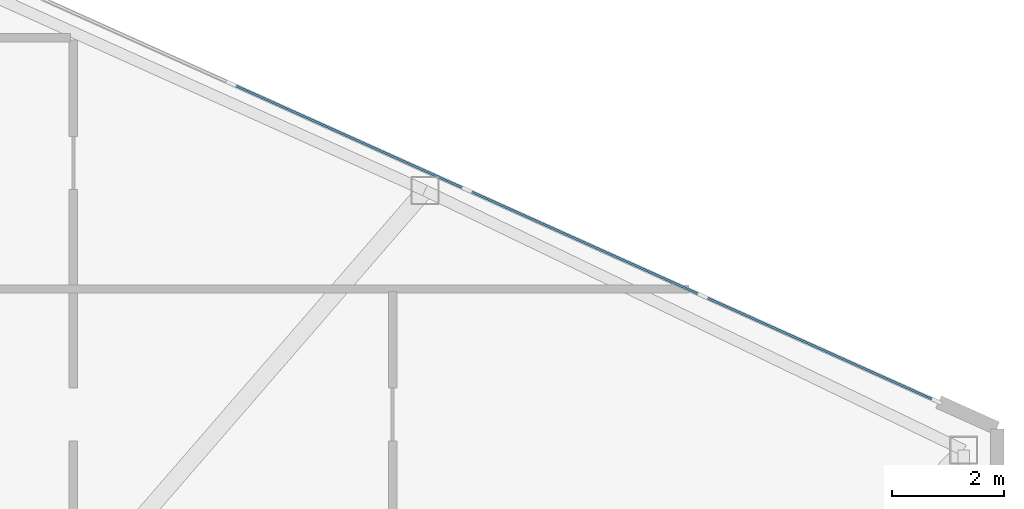
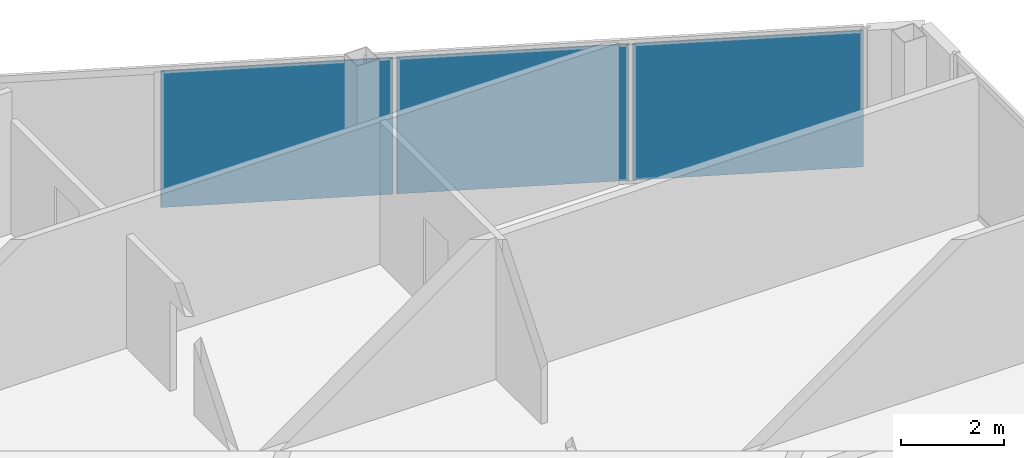
# One storey, part 18 of 27: 3 plates, 1 element without a shape of its own.
"""IFC4 building model written with IfcOpenShell, lengths in metres."""

from ifc_helpers import new_model, si_unit, direction, frame, origin, origin_2d, place, context, subcontext, project, spatial, rectangle, extrude, source, transform, mapped, material, layer, layer_set, type_object, type_shapes, element, aggregate, save


model = new_model("IFC4")

# Units and contexts
model_context = context("Model", 3, precision=1e-05, world=origin(), true_north=direction((0.0, 1.0)))
body_context = subcontext(model_context, "Body", "Model", "MODEL_VIEW")
ifc_project = project(units=[si_unit("LENGTHUNIT", "METRE"), si_unit("AREAUNIT", "SQUARE_METRE"), si_unit("VOLUMEUNIT", "CUBIC_METRE"), si_unit("PLANEANGLEUNIT", "RADIAN"), si_unit("MASSUNIT", "GRAM", prefix="KILO")], contexts=[model_context])

# Site, building, storey
site_placement = place(None, origin())
site = spatial("IfcSite", under=ifc_project, at=site_placement, CompositionType="ELEMENT")
building_placement = place(site_placement, origin())
building = spatial("IfcBuilding", under=site, at=building_placement, Name="Seokmaru Belvedere", CompositionType="ELEMENT")
storey_placement = place(building_placement, frame((0.0, 0.0, 76.5)))
storey = spatial("IfcBuildingStorey", under=building, at=storey_placement, Name="L20", CompositionType="ELEMENT", Elevation=76.5)

# Curtain wall, plates
ifc_material = material(Name="Bronze Triple Insulating Glass", Category="glass")
ifc_layer_1 = layer(ifc_material, 0.195068359375)
ifc_layer_set_1 = layer_set([ifc_layer_1], Name="Bronze Triple Insulating Glass")
curtain_wall_type = type_object("IfcCurtainWallType", Name="Lower-Mid Tapered Curtain Wall System CW-3", PredefinedType="NOTDEFINED", material=ifc_layer_set_1)
curtain_wall_placement = place(storey_placement, origin())
curtain_wall = element("IfcCurtainWall", 1, at=curtain_wall_placement, inside=storey, type_object=curtain_wall_type, Name="L20 Curtain Wall EF3", PredefinedType="NOTDEFINED")
ifc_layer_2 = layer(ifc_material, 0.035888671875)
ifc_layer_set_2 = layer_set([ifc_layer_2], Name="Bronze Triple Insulating Glass")
plate_type = type_object("IfcPlateType", Name="Bronze Triple Vision Glazing Panel 36", PredefinedType="CURTAIN_PANEL", material=ifc_layer_set_2)
shared_shape_1 = source(origin(), body_context, "Body", "SweptSolid", [
    extrude(rectangle(XDim=4.51318359375, YDim=0.035888671875, at=origin_2d()), origin(), (0.0, 0.0, 1.0), 3.239990234375),
])
plate_1_placement = place(storey_placement, frame((67.82958984375, 8.926513671875, 0.06982421875), z_axis=(0.0, 0.0, 1.0), x_axis=(-0.91192111353, 0.41036554765, 0.0)))
plate_1 = element("IfcPlate", 2, at=plate_1_placement, type_object=plate_type, Name="CW:L20:EF3 Glazing Panel 1-1", PredefinedType="CURTAIN_PANEL", context=body_context, shape_type="MappedRepresentation", body=[
    mapped(shared_shape_1, transform((0.0, 0.0, 0.0), scale=1.0)),
])
shared_shape_2 = source(origin(), body_context, "Body", "SweptSolid", [
    extrude(rectangle(XDim=4.548095703125, YDim=0.035888671875, at=origin_2d()), origin(), (0.0, 0.0, 1.0), 3.239990234375),
])
type_shapes(plate_type, [shared_shape_1, shared_shape_2])
plate_2_placement = place(storey_placement, frame((63.63427734375, 10.814697265625, 0.06982421875), z_axis=(0.0, 0.0, 1.0), x_axis=(-0.91192111353, 0.41036554765, 0.0)))
plate_2 = element("IfcPlate", 3, at=plate_2_placement, type_object=plate_type, Name="CW:L20:EF3 Glazing Panel 2-1", PredefinedType="CURTAIN_PANEL", context=body_context, shape_type="MappedRepresentation", body=[
    mapped(shared_shape_2, transform((0.0, 0.0, 0.0), scale=1.0)),
])
plate_3_placement = place(storey_placement, frame((59.4228515625, 12.709716796875, 0.06982421875), z_axis=(0.0, 0.0, 1.0), x_axis=(-0.91192111353, 0.41036554765, 0.0)))
plate_3 = element("IfcPlate", 4, at=plate_3_placement, type_object=plate_type, Name="CW:L20:EF3 Glazing Panel 3-1", PredefinedType="CURTAIN_PANEL", context=body_context, shape_type="MappedRepresentation", body=[
    mapped(shared_shape_2, transform((0.0, 0.0, 0.0), scale=1.0)),
])
aggregate(curtain_wall, [plate_1, plate_2, plate_3])

save(model, "model.ifc")
